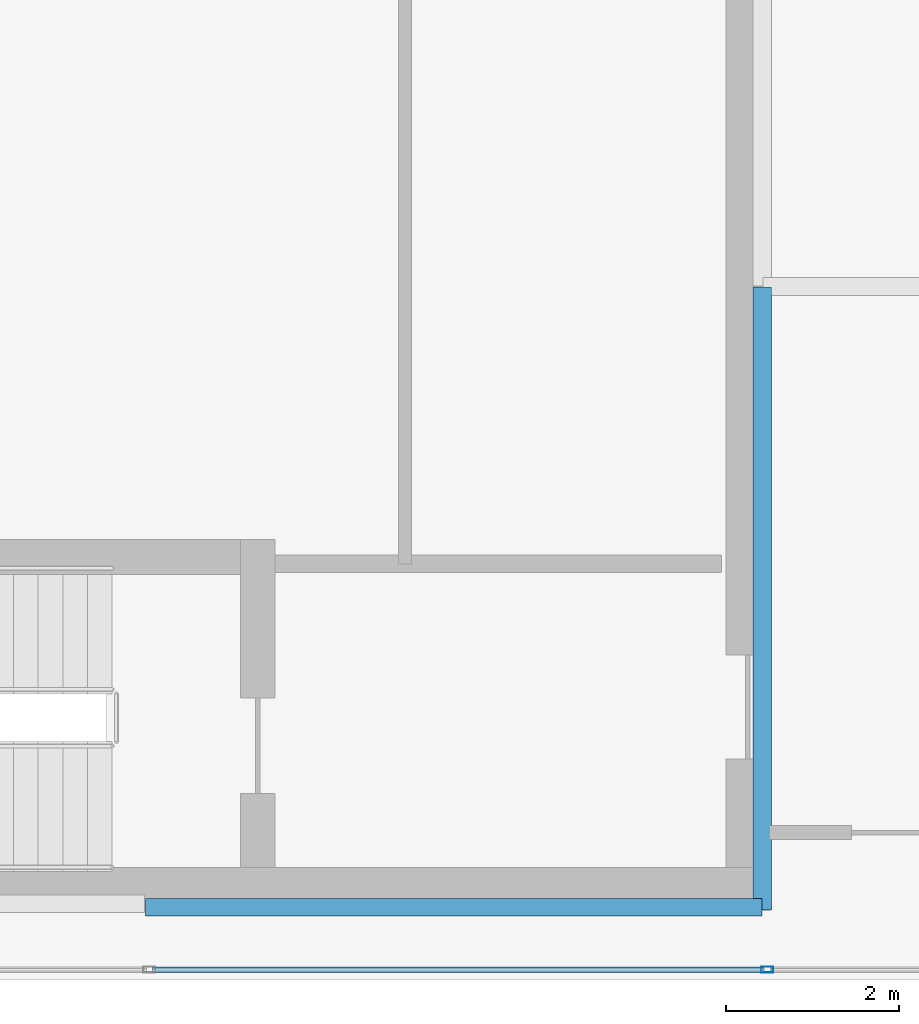
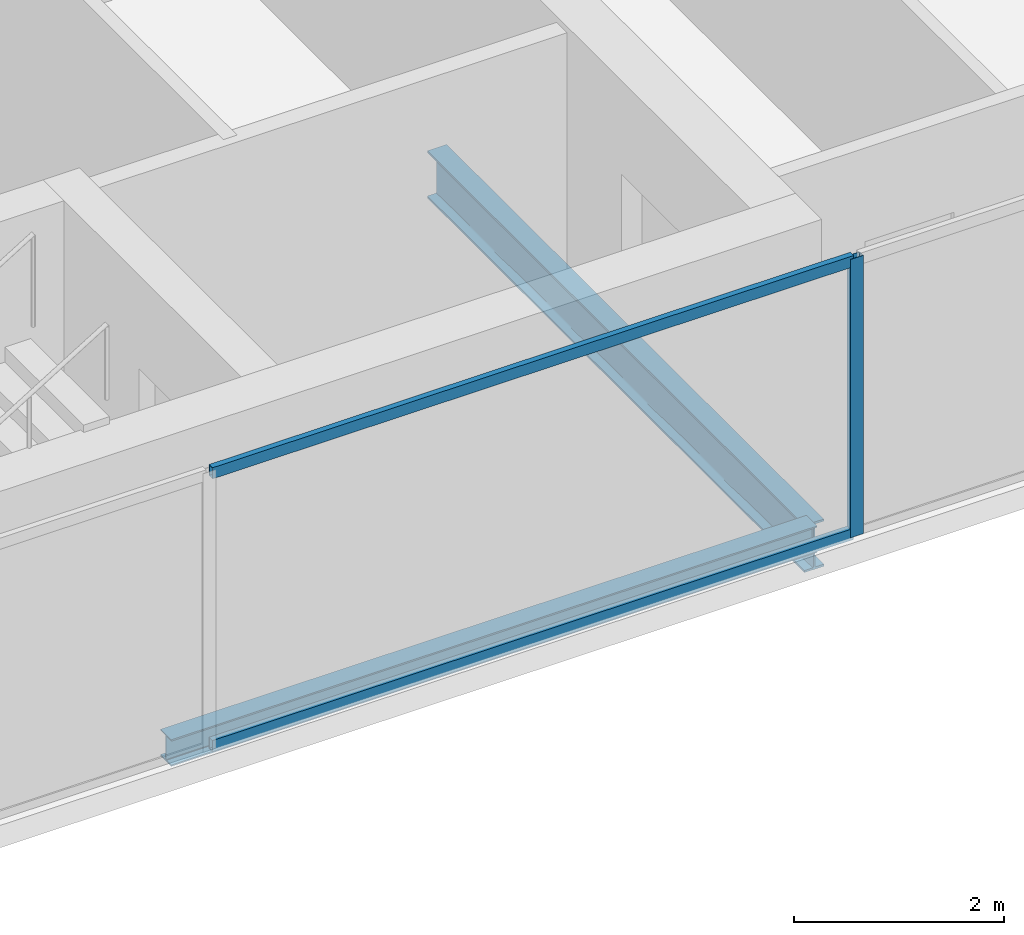
# One storey, part 3 of 23: 3 members, 2 beams, 1 element without a shape of its own.
"""IFC4 building model written with IfcOpenShell, lengths in metres."""

from ifc_helpers import new_model, si_unit, direction, frame, origin, origin_2d, place, context, subcontext, project, spatial, hollow_rectangle, i_section, extrude, material, material_profile, profile_set, type_object, element, aggregate, save


model = new_model("IFC4")

# Units and contexts
model_context = context("Model", 3, precision=1e-05, world=origin(), true_north=direction((0.0, 1.0)))
body_context = subcontext(model_context, "Body", "Model", "MODEL_VIEW")
ifc_project = project(units=[si_unit("LENGTHUNIT", "METRE"), si_unit("AREAUNIT", "SQUARE_METRE"), si_unit("VOLUMEUNIT", "CUBIC_METRE"), si_unit("PLANEANGLEUNIT", "RADIAN"), si_unit("MASSUNIT", "GRAM", prefix="KILO")], contexts=[model_context])

# Site, building, storey
site_placement = place(None, origin())
site = spatial("IfcSite", under=ifc_project, at=site_placement, CompositionType="ELEMENT")
building_placement = place(site_placement, origin())
building = spatial("IfcBuilding", under=site, at=building_placement, Name="Cobrela Telecom Tower", CompositionType="ELEMENT")
storey_placement = place(building_placement, frame((0.0, 0.0, 262.14990234375)))
storey = spatial("IfcBuildingStorey", under=building, at=storey_placement, Name="L68", CompositionType="ELEMENT", Elevation=262.14990234375)

# Beams
ifc_material_1 = material(Name="Steel ASTM A992 Grade 50", Category="steel")
ifc_material_profile_1 = material_profile(ifc_material_1, i_section(OverallWidth=0.212890625, OverallDepth=0.549072265625, WebThickness=0.0146484375, FlangeThickness=0.023681640625, FilletRadius=0.013916015625, at=origin_2d()), Name="W21X93")
ifc_profile_set_1 = profile_set([ifc_material_profile_1], Name="Steel ASTM A992 Grade 50")
beam_type_1 = type_object("IfcBeamType", Name="BM-GIRD-08", PredefinedType="USERDEFINED", material=ifc_profile_set_1)
beam_1_placement = place(storey_placement, frame((14.320068359375, 7.205078125, -0.534423828125), z_axis=(0.0, 1.0, 0.0), x_axis=(-1.0, 0.0, 0.0)))
element("IfcBeam", 1, at=beam_1_placement, inside=storey, type_object=beam_type_1, Name="L68 Primary Girder Y21", ObjectType="GIRDER", PredefinedType="USERDEFINED", context=body_context, shape_type="SweptSolid", body=[
    extrude(i_section(OverallWidth=0.212890625, OverallDepth=0.549072265625, WebThickness=0.0146484375, FlangeThickness=0.023681640625, FilletRadius=0.013916015625, at=origin_2d()), origin(), (0.0, 0.0, 1.0), 7.18994140625),
])
ifc_material_profile_2 = material_profile(ifc_material_1, i_section(OverallWidth=0.205078125, OverallDepth=0.31005859375, WebThickness=0.009521484375, FlangeThickness=0.016357421875, FilletRadius=0.010986328125, at=origin_2d()), Name="W12X50")
ifc_profile_set_2 = profile_set([ifc_material_profile_2], Name="Steel ASTM A992 Grade 50")
beam_type_2 = type_object("IfcBeamType", Name="BM-SPAND-07", PredefinedType="SPANDREL", material=ifc_profile_set_2)
beam_2_placement = place(storey_placement, frame((7.205078125, 7.239990234375, -0.414794921875), z_axis=(1.0, 0.0, 0.0), x_axis=(0.0, 1.0, 0.0)))
element("IfcBeam", 2, at=beam_2_placement, inside=storey, type_object=beam_type_2, Name="L68 Perimeter Spandrel X02", PredefinedType="SPANDREL", context=body_context, shape_type="SweptSolid", body=[
    extrude(i_section(OverallWidth=0.205078125, OverallDepth=0.31005859375, WebThickness=0.009521484375, FlangeThickness=0.016357421875, FilletRadius=0.010986328125, at=origin_2d()), origin(), (0.0, 0.0, 1.0), 7.10986328125),
])

# Curtain wall, members
ifc_material_2 = material(Name="Anodized Bronze Aluminium 6063-T6", Category="aluminium")
curtain_wall_type = type_object("IfcCurtainWallType", Name="CW-SYS-OFF-HI", PredefinedType="USERDEFINED", material=ifc_material_2)
curtain_wall_placement = place(storey_placement, origin())
curtain_wall = element("IfcCurtainWall", 3, at=curtain_wall_placement, inside=storey, type_object=curtain_wall_type, Name="L68 Unitised Bronze Curtain Wall 15", ObjectType="UNITISED CURTAIN WALL", PredefinedType="USERDEFINED")
ifc_material_profile_3 = material_profile(ifc_material_2, hollow_rectangle(XDim=0.070068359375, YDim=0.139892578125, WallThickness=0.00390625, at=origin_2d()), Name="ALU 70x140x4")
ifc_profile_set_3 = profile_set([ifc_material_profile_3], Name="Anodized Bronze Aluminium 6063-T6")
member_type_1 = type_object("IfcMemberType", Name="CW-SYS-OFF-HI-MUL", PredefinedType="MULLION", material=ifc_profile_set_3)
member_1_placement = place(storey_placement, frame((14.376708984375, 6.52001953125, 0.0), z_axis=(0.0, 0.0, 1.0), x_axis=(0.0, -1.0, 0.0)))
member_1 = element("IfcMember", 4, at=member_1_placement, type_object=member_type_1, Name="CW-OFF-HI mullion 5", PredefinedType="MULLION", context=body_context, shape_type="SweptSolid", body=[
    extrude(hollow_rectangle(XDim=0.070068359375, YDim=0.139892578125, WallThickness=0.00390625, at=origin_2d()), origin(), (0.0, 0.0, 1.0), 3.239990234375),
])
ifc_material_profile_4 = material_profile(ifc_material_2, hollow_rectangle(XDim=0.06494140625, YDim=0.1298828125, WallThickness=0.00390625, at=origin_2d()), Name="ALU 65x130x4")
ifc_profile_set_4 = profile_set([ifc_material_profile_4], Name="Anodized Bronze Aluminium 6063-T6")
member_type_2 = type_object("IfcMemberType", Name="CW-SYS-OFF-HI-TRN", PredefinedType="USERDEFINED", material=ifc_profile_set_4)
member_2_placement = place(storey_placement, frame((14.341552734375, 6.52001953125, 0.03271484375), z_axis=(-1.0, 0.0, 0.0), x_axis=(0.0, -1.0, 0.0)))
member_2 = element("IfcMember", 5, at=member_2_placement, type_object=member_type_2, Name="CW-OFF-HI transom 5.1", ObjectType="TRANSOM", PredefinedType="USERDEFINED", context=body_context, shape_type="SweptSolid", body=[
    extrude(hollow_rectangle(XDim=0.06494140625, YDim=0.1298828125, WallThickness=0.00390625, at=origin_2d()), origin(), (0.0, 0.0, 1.0), 7.05810546875),
])
member_3_placement = place(storey_placement, frame((14.341552734375, 6.52001953125, 3.20751953125), z_axis=(-1.0, 0.0, 0.0), x_axis=(0.0, -1.0, 0.0)))
member_3 = element("IfcMember", 6, at=member_3_placement, type_object=member_type_2, Name="CW-OFF-HI transom 5.2", ObjectType="TRANSOM", PredefinedType="USERDEFINED", context=body_context, shape_type="SweptSolid", body=[
    extrude(hollow_rectangle(XDim=0.06494140625, YDim=0.1298828125, WallThickness=0.00390625, at=origin_2d()), origin(), (0.0, 0.0, 1.0), 7.05810546875),
])
aggregate(curtain_wall, [member_1, member_2, member_3])

save(model, "model.ifc")
